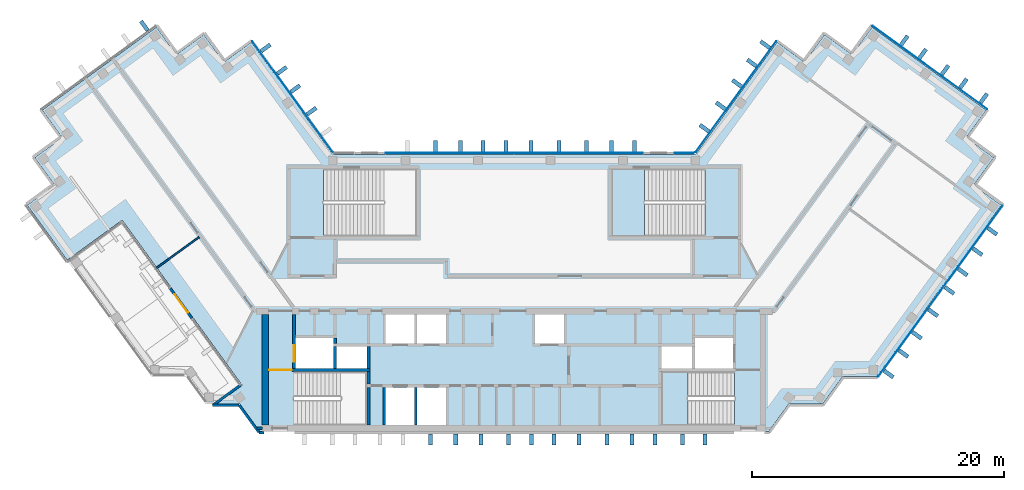
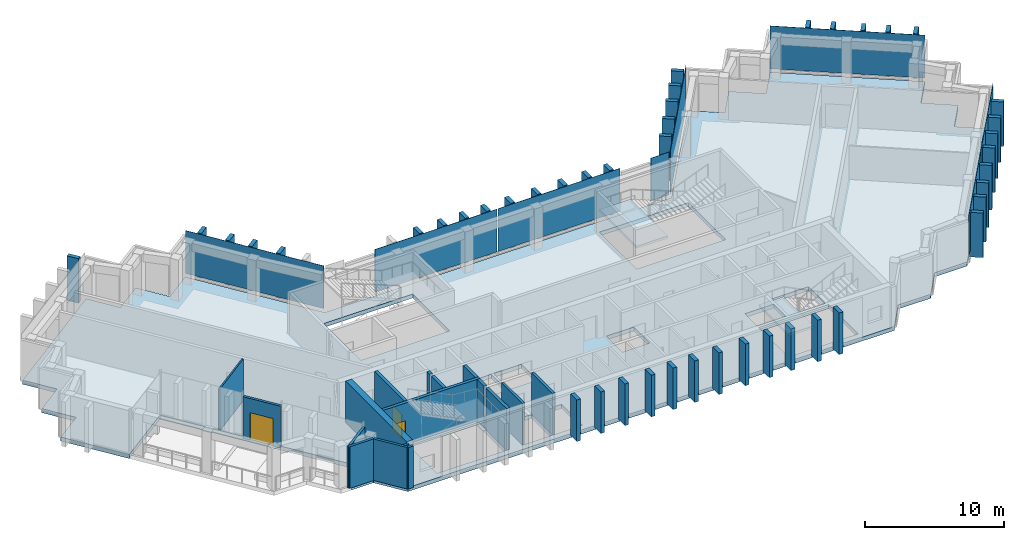
"""IFC4 building model written with IfcOpenShell, lengths in metres."""

from ifc_helpers import new_model, si_unit, direction, frame, frame_2d, origin, origin_2d, place, context, subcontext, project, spatial, polyline, rectangle, outline, extrude, material, layer, layer_set, type_object, element, fill, aggregate, save


model = new_model("IFC4")

# Units and contexts
model_context = context("Model", 3, precision=1e-05, world=origin(), true_north=direction((0.0, 1.0)))
body_context = subcontext(model_context, "Body", "Model", "MODEL_VIEW")
ifc_project = project(units=[si_unit("LENGTHUNIT", "METRE"), si_unit("AREAUNIT", "SQUARE_METRE"), si_unit("VOLUMEUNIT", "CUBIC_METRE"), si_unit("PLANEANGLEUNIT", "RADIAN"), si_unit("MASSUNIT", "GRAM", prefix="KILO")], contexts=[model_context])

# Site, building, storey
site_placement = place(None, origin())
site = spatial("IfcSite", under=ifc_project, at=site_placement, CompositionType="ELEMENT")
building_placement = place(site_placement, origin())
building = spatial("IfcBuilding", under=site, at=building_placement, Name="Quipu Civic Tower", CompositionType="ELEMENT")
storey_1_placement = place(building_placement, frame((0.0, 0.0, 265.0)))
storey_1 = spatial("IfcBuildingStorey", under=building, at=storey_1_placement, Name="L62", CompositionType="ELEMENT", Elevation=265.0)

# Slab
ifc_material_1 = material(Name="Concrete C40/50", Category="concrete")
ifc_layer_1 = layer(ifc_material_1, 0.35009765625)
ifc_layer_set_1 = layer_set([ifc_layer_1], Name="Concrete C40/50")
slab_type_1 = type_object("IfcSlabType", Name="Floor slab 350 C40/50", PredefinedType="FLOOR", material=ifc_layer_set_1)
slab_1_placement = place(storey_1_placement, frame((0.0, 0.0, -0.35009765625)))
element("IfcSlab", 1, at=slab_1_placement, inside=storey_1, type_object=slab_type_1, Name="Floor slab L62", PredefinedType="FLOOR", context=body_context, shape_type="SweptSolid", body=[
    extrude(outline(polyline([(-38.06005859375, 10.735107421875), (-35.875, 12.320068359375), (-37.4599609375, 14.5048828125), (-28.39990234375, 21.090087890625), (-26.81494140625, 18.905029296875), (-24.6298828125, 20.4951171875), (-23.0400390625, 18.31005859375), (-20.860107421875, 19.89501953125), (-14.39501953125, 11.0), (14.39501953125, 11.0), (20.860107421875, 19.89501953125), (23.0400390625, 18.31005859375), (24.6298828125, 20.4951171875), (26.81494140625, 18.905029296875), (28.39990234375, 21.090087890625), (37.4599609375, 14.5048828125), (35.875, 12.320068359375), (38.06005859375, 10.735107421875), (36.469970703125, 8.550048828125), (38.655029296875, 6.965087890625), (28.780029296875, -6.6298828125), (26.080078125, -6.6298828125), (24.489990234375, -8.81494140625), (21.7900390625, -8.81494140625), (20.205078125, -11.0), (-20.205078125, -11.0), (-21.7900390625, -8.81494140625), (-23.625, -8.81494140625), (-21.590087890625, -7.3349609375), (-31.114990234375, 5.77001953125), (-35.47998046875, 2.594970703125), (-38.655029296875, 6.965087890625), (-36.469970703125, 8.550048828125), (-38.06005859375, 10.735107421875)]), holes=[polyline([(-10.199951171875, -10.5), (-7.89990234375, -10.5), (-7.89990234375, -7.5), (-10.199951171875, -7.5), (-10.199951171875, -10.5)]), polyline([(-7.699951171875, -7.5), (-7.699951171875, -10.5), (-5.39990234375, -10.5), (-5.39990234375, -7.5), (-7.699951171875, -7.5)]), polyline([(-11.705078125, -6.2548828125), (-17.4951171875, -6.2548828125), (-17.4951171875, -10.4951171875), (-11.705078125, -10.4951171875), (-11.705078125, -6.2548828125)]), polyline([(-14.10009765625, -6.0), (-11.699951171875, -6.0), (-11.699951171875, -4.25), (-14.10009765625, -4.25), (-14.10009765625, -6.0)]), polyline([(-17.35009765625, -3.60009765625), (-17.35009765625, -6.0), (-14.35009765625, -6.0), (-14.35009765625, -3.60009765625), (-17.35009765625, -3.60009765625)]), polyline([(-10.199951171875, -1.699951171875), (-10.199951171875, -4.0), (-7.89990234375, -4.0), (-7.89990234375, -1.699951171875), (-10.199951171875, -1.699951171875)]), polyline([(-15.14501953125, 9.844970703125), (-15.14501953125, 4.5048828125), (-7.7548828125, 4.5048828125), (-7.7548828125, 9.844970703125), (-15.14501953125, 9.844970703125)]), polyline([(11.705078125, -10.4951171875), (17.4951171875, -10.4951171875), (17.4951171875, -6.2548828125), (11.705078125, -6.2548828125), (11.705078125, -10.4951171875)]), polyline([(11.699951171875, -4.25), (11.699951171875, -6.0), (14.10009765625, -6.0), (14.10009765625, -4.25), (11.699951171875, -4.25)]), polyline([(14.35009765625, -3.60009765625), (14.35009765625, -6.0), (17.35009765625, -6.0), (17.35009765625, -3.60009765625), (14.35009765625, -3.60009765625)]), polyline([(-7.699951171875, -1.699951171875), (-7.699951171875, -4.0), (-5.39990234375, -4.0), (-5.39990234375, -1.699951171875), (-7.699951171875, -1.699951171875)]), polyline([(1.64990234375, -1.699951171875), (1.64990234375, -4.0), (3.949951171875, -4.0), (3.949951171875, -1.699951171875), (1.64990234375, -1.699951171875)]), polyline([(7.7548828125, 4.5048828125), (15.14501953125, 4.5048828125), (15.14501953125, 9.844970703125), (7.7548828125, 9.844970703125), (7.7548828125, 4.5048828125)])]), origin(), (0.0, 0.0, 1.0), 0.35009765625),
])

# Storey
storey_2_placement = place(building_placement, frame((0.0, 0.0, 269.0)))
storey_2 = spatial("IfcBuildingStorey", under=building, at=storey_2_placement, Name="L63", CompositionType="ELEMENT", Elevation=269.0)

# Curtain wall, plates
ifc_material_2 = material(Name="Insulated glass unit", Category="glass")
curtain_wall_type = type_object("IfcCurtainWallType", Name="Office curtain wall CW1", PredefinedType="NOTDEFINED", material=ifc_material_2)
curtain_wall_1_placement = place(storey_2_placement, origin())
curtain_wall_1 = element("IfcCurtainWall", 2, at=curtain_wall_1_placement, inside=storey_2, type_object=curtain_wall_type, Name="Office curtain wall CW1 L62 run 16", PredefinedType="NOTDEFINED")
ifc_material_3 = material(Name="Insulated glass unit", Category="glass")
ifc_layer_2 = layer(ifc_material_3, 0.028076171875)
ifc_layer_set_2 = layer_set([ifc_layer_2], Name="Insulated glass unit")
plate_type_1 = type_object("IfcPlateType", Name="Glass panel CW1", PredefinedType="CURTAIN_PANEL", material=ifc_layer_set_2)
plate_1_placement = place(storey_1_placement, frame((31.333251953125, -3.285888671875, 0.240234375), z_axis=(0.0, 0.0, 1.0), x_axis=(0.587786237643, 0.809016278475, 0.0)))
plate_1 = element("IfcPlate", 3, at=plate_1_placement, inside=storey_1, type_object=plate_type_1, Name="CW1 panel 1.1", PredefinedType="CURTAIN_PANEL", context=body_context, shape_type="SweptSolid", body=[
    extrude(rectangle(XDim=8.35791015625, YDim=0.028076171875, at=origin_2d()), origin(), (0.0, 0.0, 1.0), 3.760009765625),
])
plate_2_placement = place(storey_1_placement, frame((36.292724609375, 3.54052734375, 0.240234375), z_axis=(0.0, 0.0, 1.0), x_axis=(0.587786237643, 0.809016278475, 0.0)))
plate_2 = element("IfcPlate", 4, at=plate_2_placement, inside=storey_1, type_object=plate_type_1, Name="CW1 panel 2.1", PredefinedType="CURTAIN_PANEL", context=body_context, shape_type="SweptSolid", body=[
    extrude(rectangle(XDim=8.35791015625, YDim=0.028076171875, at=origin_2d()), origin(), (0.0, 0.0, 1.0), 3.760009765625),
])
aggregate(curtain_wall_1, [plate_1, plate_2])

# Curtain wall, plate
curtain_wall_2_placement = place(storey_2_placement, origin())
curtain_wall_2 = element("IfcCurtainWall", 5, at=curtain_wall_2_placement, inside=storey_2, type_object=curtain_wall_type, Name="Office curtain wall CW1 L62 run 21", PredefinedType="NOTDEFINED")
plate_3_placement = place(storey_1_placement, frame((32.989990234375, 17.87939453125, 0.240234375), z_axis=(0.0, 0.0, 1.0), x_axis=(-0.809015176832, 0.587787753918, 0.0)))
plate_3 = element("IfcPlate", 6, at=plate_3_placement, inside=storey_1, type_object=plate_type_1, Name="CW1 panel 1.1", PredefinedType="CURTAIN_PANEL", context=body_context, shape_type="SweptSolid", body=[
    extrude(rectangle(XDim=11.239990234375, YDim=0.028076171875, at=origin_2d()), origin(), (0.0, 0.0, 1.0), 3.760009765625),
])
aggregate(curtain_wall_2, [plate_3])

curtain_wall_3_placement = place(storey_2_placement, origin())
curtain_wall_3 = element("IfcCurtainWall", 7, at=curtain_wall_3_placement, inside=storey_2, type_object=curtain_wall_type, Name="Office curtain wall CW1 L62 run 26", PredefinedType="NOTDEFINED")
plate_4_placement = place(storey_1_placement, frame((17.590087890625, 15.5673828125, 0.240234375), z_axis=(0.0, 0.0, 1.0), x_axis=(-0.587787771652, -0.809015163947, 0.0)))
plate_4 = element("IfcPlate", 8, at=plate_4_placement, inside=storey_1, type_object=plate_type_1, Name="CW1 panel 1.1", PredefinedType="CURTAIN_PANEL", context=body_context, shape_type="SweptSolid", body=[
    extrude(rectangle(XDim=10.88427734375, YDim=0.028076171875, at=origin_2d()), origin(), (0.0, 0.0, 1.0), 3.760009765625),
])
aggregate(curtain_wall_3, [plate_4])

curtain_wall_4_placement = place(storey_2_placement, origin())
curtain_wall_4 = element("IfcCurtainWall", 9, at=curtain_wall_4_placement, inside=storey_2, type_object=curtain_wall_type, Name="Office curtain wall CW1 L62 run 27", PredefinedType="NOTDEFINED")
plate_5_placement = place(storey_1_placement, frame((13.49951171875, 11.10009765625, 0.240234375), z_axis=(0.0, 0.0, 1.0), x_axis=(-1.0, 0.0, 0.0)))
plate_5 = element("IfcPlate", 10, at=plate_5_placement, inside=storey_1, type_object=plate_type_1, Name="CW1 panel 1.1", PredefinedType="CURTAIN_PANEL", context=body_context, shape_type="SweptSolid", body=[
    extrude(rectangle(XDim=1.529296875, YDim=0.028076171875, at=origin_2d()), origin(), (0.0, 0.0, 1.0), 3.760009765625),
])
aggregate(curtain_wall_4, [plate_5])

# Curtain wall, plates
curtain_wall_5_placement = place(storey_2_placement, origin())
curtain_wall_5 = element("IfcCurtainWall", 11, at=curtain_wall_5_placement, inside=storey_2, type_object=curtain_wall_type, Name="Office curtain wall CW1 L62 run 29", PredefinedType="NOTDEFINED")
plate_6_placement = place(storey_1_placement, frame((5.11181640625, 11.10009765625, 0.240234375), z_axis=(0.0, 0.0, 1.0), x_axis=(-1.0, 0.0, 0.0)))
plate_6 = element("IfcPlate", 12, at=plate_6_placement, inside=storey_1, type_object=plate_type_1, Name="CW1 panel 1.1", PredefinedType="CURTAIN_PANEL", context=body_context, shape_type="SweptSolid", body=[
    extrude(rectangle(XDim=10.1435546875, YDim=0.028076171875, at=origin_2d()), origin(), (0.0, 0.0, 1.0), 3.760009765625),
])
plate_7_placement = place(storey_1_placement, frame((-5.11181640625, 11.10009765625, 0.240234375), z_axis=(0.0, 0.0, 1.0), x_axis=(-1.0, 0.0, 0.0)))
plate_7 = element("IfcPlate", 13, at=plate_7_placement, inside=storey_1, type_object=plate_type_1, Name="CW1 panel 2.1", PredefinedType="CURTAIN_PANEL", context=body_context, shape_type="SweptSolid", body=[
    extrude(rectangle(XDim=10.1435546875, YDim=0.028076171875, at=origin_2d()), origin(), (0.0, 0.0, 1.0), 3.760009765625),
])
aggregate(curtain_wall_5, [plate_6, plate_7])

# Curtain wall, plate
curtain_wall_6_placement = place(storey_2_placement, origin())
curtain_wall_6 = element("IfcCurtainWall", 14, at=curtain_wall_6_placement, inside=storey_2, type_object=curtain_wall_type, Name="Office curtain wall CW1 L62 run 32", PredefinedType="NOTDEFINED")
plate_8_placement = place(storey_1_placement, frame((-17.590087890625, 15.5673828125, 0.240234375), z_axis=(0.0, 0.0, 1.0), x_axis=(-0.587787771652, 0.809015163947, 0.0)))
plate_8 = element("IfcPlate", 15, at=plate_8_placement, inside=storey_1, type_object=plate_type_1, Name="CW1 panel 1.1", PredefinedType="CURTAIN_PANEL", context=body_context, shape_type="SweptSolid", body=[
    extrude(rectangle(XDim=10.88427734375, YDim=0.028076171875, at=origin_2d()), origin(), (0.0, 0.0, 1.0), 3.760009765625),
])
aggregate(curtain_wall_6, [plate_8])

# Plates
ifc_material_4 = material(Name="Precast concrete C40/50", Category="concrete")
plate_type_2 = type_object("IfcPlateType", Name="Precast fin F3", PredefinedType="SHEET", material=ifc_material_4)
for number, where, z_axis, x_axis, name in (
    (16, (-6.639892578125, -11.637939453125, 0.0), (0.0, 0.0, 1.0), (1.0, 0.0, 0.0), "Precast fin F3 L62.10.6"),
    (17, (-4.639892578125, -11.637939453125, 0.0), (0.0, 0.0, 1.0), (1.0, 0.0, 0.0), "Precast fin F3 L62.10.7"),
    (18, (-2.639892578125, -11.637939453125, 0.0), (0.0, 0.0, 1.0), (1.0, 0.0, 0.0), "Precast fin F3 L62.10.8"),
    (19, (-0.43994140625, -11.637939453125, 0.0), (0.0, 0.0, 1.0), (1.0, 0.0, 0.0), "Precast fin F3 L62.10.9"),
    (20, (1.360107421875, -11.637939453125, 0.0), (0.0, 0.0, 1.0), (1.0, 0.0, 0.0), "Precast fin F3 L62.10.10"),
    (21, (3.159912109375, -11.637939453125, 0.0), (0.0, 0.0, 1.0), (1.0, 0.0, 0.0), "Precast fin F3 L62.10.11"),
    (22, (5.159912109375, -11.637939453125, 0.0), (0.0, 0.0, 1.0), (1.0, 0.0, 0.0), "Precast fin F3 L62.10.12"),
    (23, (7.360107421875, -11.637939453125, 0.0), (0.0, 0.0, 1.0), (1.0, 0.0, 0.0), "Precast fin F3 L62.10.13"),
    (24, (9.360107421875, -11.637939453125, 0.0), (0.0, 0.0, 1.0), (1.0, 0.0, 0.0), "Precast fin F3 L62.10.14"),
    (25, (11.159912109375, -11.637939453125, 0.0), (0.0, 0.0, 1.0), (1.0, 0.0, 0.0), "Precast fin F3 L62.10.15"),
    (26, (13.360107421875, -11.637939453125, 0.0), (0.0, 0.0, 1.0), (1.0, 0.0, 0.0), "Precast fin F3 L62.10.16"),
    (27, (15.159912109375, -11.637939453125, 0.0), (0.0, 0.0, 1.0), (1.0, 0.0, 0.0), "Precast fin F3 L62.10.17"),
):
    element("IfcPlate", number, at=place(storey_1_placement, frame(where, z_axis=z_axis, x_axis=x_axis)), inside=storey_1, type_object=plate_type_2, Name=name, PredefinedType="SHEET", context=body_context, shape_type="SweptSolid", body=[
        extrude(rectangle(XDim=0.320068359375, YDim=0.89990234375, at=origin_2d()), origin(), (0.0, 0.0, 1.0), 3.64990234375),
    ])
for number, where, z_axis, x_axis, name in (
    (28, (29.721923828125, -6.43896484375, 0.080078125), (0.0, 0.0, 1.0), (0.587786668783, 0.809015965233, 0.0), "Precast fin F3 L62.16.1"),
    (29, (30.8974609375, -4.821044921875, 0.080078125), (0.0, 0.0, 1.0), (0.587786668783, 0.809015965233, 0.0), "Precast fin F3 L62.16.2"),
    (30, (31.95556640625, -3.36474609375, 0.080078125), (0.0, 0.0, 1.0), (0.587786668783, 0.809015965233, 0.0), "Precast fin F3 L62.16.3"),
    (31, (33.248779296875, -1.5849609375, 0.080078125), (0.0, 0.0, 1.0), (0.587786668783, 0.809015965233, 0.0), "Precast fin F3 L62.16.4"),
    (32, (34.541748046875, 0.195068359375, 0.080078125), (0.0, 0.0, 1.0), (0.587786668783, 0.809015965233, 0.0), "Precast fin F3 L62.16.5"),
    (33, (35.599853515625, 1.651123046875, 0.080078125), (0.0, 0.0, 1.0), (0.587786668783, 0.809015965233, 0.0), "Precast fin F3 L62.16.6"),
    (34, (36.775390625, 3.269287109375, 0.080078125), (0.0, 0.0, 1.0), (0.587786668783, 0.809015965233, 0.0), "Precast fin F3 L62.16.7"),
    (35, (37.950927734375, 4.88720703125, 0.080078125), (0.0, 0.0, 1.0), (0.587786668783, 0.809015965233, 0.0), "Precast fin F3 L62.16.8"),
    (36, (37.26953125, 15.449951171875, 0.080078125), (0.0, 0.0, 1.0), (-0.809017072762, 0.587785144401, 0.0), "Precast fin F3 L62.21.1"),
    (37, (35.6513671875, 16.62548828125, 0.080078125), (0.0, 0.0, 1.0), (-0.809017072762, 0.587785144401, 0.0), "Precast fin F3 L62.21.2"),
    (38, (34.1953125, 17.68359375, 0.080078125), (0.0, 0.0, 1.0), (-0.809017072762, 0.587785144401, 0.0), "Precast fin F3 L62.21.3"),
    (39, (32.415283203125, 18.976806640625, 0.080078125), (0.0, 0.0, 1.0), (-0.809017072762, 0.587785144401, 0.0), "Precast fin F3 L62.21.4"),
    (40, (30.959228515625, 20.03466796875, 0.080078125), (0.0, 0.0, 1.0), (-0.809017072762, 0.587785144401, 0.0), "Precast fin F3 L62.21.5"),
    (41, (19.914794921875, 19.702880859375, 0.080078125), (0.0, 0.0, 1.0), (-0.58778443384, -0.809017589015, 0.0), "Precast fin F3 L62.26.1"),
    (42, (18.856689453125, 18.246826171875, 0.080078125), (0.0, 0.0, 1.0), (-0.58778443384, -0.809017589015, 0.0), "Precast fin F3 L62.26.2"),
    (43, (17.68115234375, 16.628662109375, 0.080078125), (0.0, 0.0, 1.0), (-0.58778443384, -0.809017589015, 0.0), "Precast fin F3 L62.26.3"),
    (44, (16.38818359375, 14.848876953125, 0.080078125), (0.0, 0.0, 1.0), (-0.58778443384, -0.809017589015, 0.0), "Precast fin F3 L62.26.4"),
    (45, (15.094970703125, 13.069091796875, 0.080078125), (0.0, 0.0, 1.0), (-0.58778443384, -0.809017589015, 0.0), "Precast fin F3 L62.26.5"),
    (46, (9.5400390625, 11.64990234375, 0.080078125), (0.0, 0.0, 1.0), (-1.0, 0.0, 0.0), "Precast fin F3 L62.29.1"),
    (47, (7.739990234375, 11.64990234375, 0.080078125), (0.0, 0.0, 1.0), (-1.0, 0.0, 0.0), "Precast fin F3 L62.29.2"),
    (48, (5.739990234375, 11.64990234375, 0.080078125), (0.0, 0.0, 1.0), (-1.0, 0.0, 0.0), "Precast fin F3 L62.29.3"),
    (49, (3.5400390625, 11.64990234375, 0.080078125), (0.0, 0.0, 1.0), (-1.0, 0.0, 0.0), "Precast fin F3 L62.29.4"),
    (50, (1.340087890625, 11.64990234375, 0.080078125), (0.0, 0.0, 1.0), (-1.0, 0.0, 0.0), "Precast fin F3 L62.29.5"),
    (51, (-0.659912109375, 11.64990234375, 0.080078125), (0.0, 0.0, 1.0), (-1.0, 0.0, 0.0), "Precast fin F3 L62.29.6"),
    (52, (-2.4599609375, 11.64990234375, 0.080078125), (0.0, 0.0, 1.0), (-1.0, 0.0, 0.0), "Precast fin F3 L62.29.7"),
    (53, (-4.260009765625, 11.64990234375, 0.080078125), (0.0, 0.0, 1.0), (-1.0, 0.0, 0.0), "Precast fin F3 L62.29.8"),
    (54, (-6.260009765625, 11.64990234375, 0.080078125), (0.0, 0.0, 1.0), (-1.0, 0.0, 0.0), "Precast fin F3 L62.29.9"),
    (55, (-16.079345703125, 14.424072265625, 0.080078125), (0.0, 0.0, 1.0), (-0.58778443384, 0.809017589015, 0.0), "Precast fin F3 L62.32.2"),
    (56, (-17.37255859375, 16.203857421875, 0.080078125), (0.0, 0.0, 1.0), (-0.58778443384, 0.809017589015, 0.0), "Precast fin F3 L62.32.3"),
    (57, (-18.4306640625, 17.66015625, 0.080078125), (0.0, 0.0, 1.0), (-0.58778443384, 0.809017589015, 0.0), "Precast fin F3 L62.32.4"),
    (58, (-19.7236328125, 19.43994140625, 0.080078125), (0.0, 0.0, 1.0), (-0.58778443384, 0.809017589015, 0.0), "Precast fin F3 L62.32.5"),
    (59, (-29.357177734375, 21.198486328125, 0.080078125), (0.0, 0.0, 1.0), (-0.809017072762, -0.587785144401, 0.0), "Precast fin F3 L62.37.1"),
):
    element("IfcPlate", number, at=place(storey_1_placement, frame(where, z_axis=z_axis, x_axis=x_axis)), inside=storey_1, type_object=plate_type_2, Name=name, PredefinedType="SHEET", context=body_context, shape_type="SweptSolid", body=[
        extrude(rectangle(XDim=0.320068359375, YDim=0.89990234375, at=origin_2d()), origin(), (0.0, 0.0, 1.0), 3.919921875),
    ])

# Stair, slab
ifc_material_5 = material(Name="Concrete C40/50", Category="concrete")
stair_type_1 = type_object("IfcStairType", Name="Half turn stair 2000", PredefinedType="HALF_TURN_STAIR", material=ifc_material_5)
stair_1_placement = place(storey_1_placement, origin())
stair_1 = element("IfcStair", 60, at=stair_1_placement, inside=storey_1, type_object=stair_type_1, Name="Exit stair 2", PredefinedType="HALF_TURN_STAIR")
ifc_material_6 = material(Name="Concrete C40/50", Category="concrete")
ifc_layer_3 = layer(ifc_material_6, 0.199951171875)
ifc_layer_set_3 = layer_set([ifc_layer_3], Name="Concrete C40/50")
slab_type_2 = type_object("IfcSlabType", Name="Stair landing 200", PredefinedType="LANDING", material=ifc_layer_set_3)
slab_2_placement = place(storey_1_placement, frame((0.0, 0.0, 1.800048828125)))
slab_2 = element("IfcSlab", 61, at=slab_2_placement, type_object=slab_type_2, Name="ST-2 landing 1", PredefinedType="LANDING", context=body_context, shape_type="SweptSolid", body=[
    extrude(outline(polyline([(13.780029296875, -6.25), (11.699951171875, -6.25), (11.699951171875, -10.5), (13.780029296875, -10.5), (13.780029296875, -6.25)])), origin(), (0.0, 0.0, 1.0), 0.199951171875),
])
aggregate(stair_1, [slab_2])

ifc_material_7 = material(Name="Concrete C40/50", Category="concrete")
stair_type_2 = type_object("IfcStairType", Name="Half turn stair 2600", PredefinedType="HALF_TURN_STAIR", material=ifc_material_7)
stair_2_placement = place(storey_1_placement, origin())
stair_2 = element("IfcStair", 62, at=stair_2_placement, inside=storey_1, type_object=stair_type_2, Name="Exit stair 4", PredefinedType="HALF_TURN_STAIR")
slab_3_placement = place(storey_1_placement, frame((0.0, 0.0, 1.800048828125)))
slab_3 = element("IfcSlab", 63, at=slab_3_placement, type_object=slab_type_2, Name="ST-4 landing 1", PredefinedType="LANDING", context=body_context, shape_type="SweptSolid", body=[
    extrude(outline(polyline([(10.35009765625, 9.85009765625), (7.75, 9.85009765625), (7.75, 4.5), (10.35009765625, 4.5), (10.35009765625, 9.85009765625)])), origin(), (0.0, 0.0, 1.0), 0.199951171875),
])
aggregate(stair_2, [slab_3])

# Walls
ifc_material_8 = material(Name="Concrete C70/85", Category="concrete")
ifc_layer_4 = layer(ifc_material_8, 0.25)
ifc_layer_set_4 = layer_set([ifc_layer_4], Name="Concrete C70/85")
wall_type_1 = type_object("IfcWallType", Name="Core wall 250", PredefinedType="SHEAR", material=ifc_layer_set_4)
wall_1_placement = place(storey_1_placement, frame((-11.574951171875, -10.5, 0.0), z_axis=(0.0, 0.0, 1.0), x_axis=(0.0, 1.0, 0.0)))
element("IfcWall", 64, at=wall_1_placement, inside=storey_1, type_object=wall_type_1, Name="Core wall", PredefinedType="SHEAR", context=body_context, shape_type="SweptSolid", body=[
    extrude(rectangle(XDim=3.0, YDim=0.25, at=frame_2d((1.5, 0.0))), origin(), (0.0, 0.0, 1.0), 3.64990234375),
])
wall_2_placement = place(storey_1_placement, frame((-11.574951171875, -7.25, 0.0), z_axis=(0.0, 0.0, 1.0), x_axis=(0.0, 1.0, 0.0)))
element("IfcWall", 65, at=wall_2_placement, inside=storey_1, type_object=wall_type_1, Name="Core wall", PredefinedType="SHEAR", context=body_context, shape_type="SweptSolid", body=[
    extrude(rectangle(XDim=1.0, YDim=0.25, at=frame_2d((0.5, 0.0))), origin(), (0.0, 0.0, 1.0), 3.64990234375),
])

# Wall, opening, door
wall_3_placement = place(storey_1_placement, frame((-11.449951171875, -6.125, 0.0), z_axis=(0.0, 0.0, 1.0), x_axis=(-1.0, 0.0, 0.0)))
wall_3 = element("IfcWall", 66, at=wall_3_placement, inside=storey_1, type_object=wall_type_1, Name="Core wall", PredefinedType="SHEAR", context=body_context, shape_type="SweptSolid", body=[
    extrude(rectangle(XDim=8.050048828125, YDim=0.25, at=frame_2d((4.02490234375, 0.0))), origin(), (0.0, 0.0, 1.0), 3.64990234375),
])
opening_1_placement = place(wall_3_placement, frame((6.199951171875, 0.0, 0.0)))
opening_1 = element("IfcOpeningElement", 67, at=opening_1_placement, cuts=wall_3, Name="Opening CD-10", PredefinedType="OPENING", context=body_context, shape_type="SweptSolid", body=[
    extrude(rectangle(XDim=1.800048828125, YDim=2.10009765625, at=frame_2d((0.89990234375, 1.050048828125))), frame((0.0, 0.135009765625, 0.0), z_axis=(0.0, -1.0, 0.0), x_axis=(1.0, 0.0, 0.0)), (0.0, 0.0, 1.0), 0.27001953125),
])
ifc_material_9 = material(Name="Fire rated steel door", Category="steel")
door_type_1 = type_object("IfcDoorType", Name="Fire door FD90 double 1800 x 2100", OperationType="NOTDEFINED", PredefinedType="DOOR", material=ifc_material_9)
door_1_placement = place(opening_1_placement, origin())
door_1 = element("IfcDoor", 68, at=door_1_placement, inside=storey_1, type_object=door_type_1, Name="Door", OperationType="DOUBLE_DOOR_SINGLE_SWING", OverallHeight=2.10009765625, OverallWidth=1.800048828125, PredefinedType="DOOR", context=body_context, shape_type="SweptSolid", body=[
    extrude(rectangle(XDim=1.800048828125, YDim=2.10009765625, at=frame_2d((0.89990234375, 1.050048828125))), frame((0.0, 0.02490234375, 0.0), z_axis=(0.0, -1.0, 0.0), x_axis=(1.0, 0.0, 0.0)), (0.0, 0.0, 1.0), 0.050048828125),
])
fill(opening_1, door_1)

wall_4_placement = place(storey_1_placement, frame((-17.47509765625, -6.0, 0.0), z_axis=(0.0, 0.0, 1.0), x_axis=(0.0, 1.0, 0.0)))
wall_4 = element("IfcWall", 69, at=wall_4_placement, inside=storey_1, type_object=wall_type_1, Name="Core wall", PredefinedType="SHEAR", context=body_context, shape_type="SweptSolid", body=[
    extrude(rectangle(XDim=4.300048828125, YDim=0.25, at=frame_2d((2.14990234375, 0.0))), origin(), (0.0, 0.0, 1.0), 3.64990234375),
])
opening_2_placement = place(wall_4_placement, frame((0.550048828125, 0.0, 0.0)))
opening_2 = element("IfcOpeningElement", 70, at=opening_2_placement, cuts=wall_4, Name="Opening LD-FF1", PredefinedType="OPENING", context=body_context, shape_type="SweptSolid", body=[
    extrude(rectangle(XDim=1.300048828125, YDim=2.10009765625, at=frame_2d((0.64990234375, 1.050048828125))), frame((0.0, 0.135009765625, 0.0), z_axis=(0.0, -1.0, 0.0), x_axis=(1.0, 0.0, 0.0)), (0.0, 0.0, 1.0), 0.27001953125),
])
ifc_material_10 = material(Name="Stainless steel", Category="steel")
door_type_2 = type_object("IfcDoorType", Name="Lift landing door 1300 x 2100", OperationType="DOUBLE_DOOR_SLIDING", PredefinedType="DOOR", material=ifc_material_10)
door_2_placement = place(opening_2_placement, origin())
door_2 = element("IfcDoor", 71, at=door_2_placement, inside=storey_1, type_object=door_type_2, Name="Landing door FF1", OperationType="DOUBLE_DOOR_SLIDING", OverallHeight=2.10009765625, OverallWidth=1.300048828125, PredefinedType="DOOR", context=body_context, shape_type="SweptSolid", body=[
    extrude(rectangle(XDim=1.300048828125, YDim=2.10009765625, at=frame_2d((0.64990234375, 1.050048828125))), frame((0.0, 0.02490234375, 0.0), z_axis=(0.0, -1.0, 0.0), x_axis=(1.0, 0.0, 0.0)), (0.0, 0.0, 1.0), 0.050048828125),
])
fill(opening_2, door_2)

# Walls
for number, where, z_axis, x_axis, name in (
    (72, (-14.22509765625, -6.0, 0.0), (0.0, 0.0, 1.0), (0.0, 1.0, 0.0), "Core wall"),
    (73, (-11.574951171875, -6.0, 0.0), (0.0, 0.0, 1.0), (0.0, 1.0, 0.0), "Core wall"),
):
    element("IfcWall", number, at=place(storey_1_placement, frame(where, z_axis=z_axis, x_axis=x_axis)), inside=storey_1, type_object=wall_type_1, Name=name, PredefinedType="SHEAR", context=body_context, shape_type="SweptSolid", body=[
        extrude(rectangle(XDim=1.75, YDim=0.25, at=frame_2d((0.875, 0.0))), origin(), (0.0, 0.0, 1.0), 3.64990234375),
    ])
wall_5_placement = place(storey_1_placement, frame((-14.22509765625, -4.0, 0.0), z_axis=(0.0, 0.0, 1.0), x_axis=(0.0, 1.0, 0.0)))
element("IfcWall", 74, at=wall_5_placement, inside=storey_1, type_object=wall_type_1, Name="Core wall", PredefinedType="SHEAR", context=body_context, shape_type="SweptSolid", body=[
    extrude(rectangle(XDim=0.39990234375, YDim=0.25, at=frame_2d((0.199951171875, 0.0))), origin(), (0.0, 0.0, 1.0), 3.64990234375),
])
ifc_material_11 = material(Name="Concrete C70/85", Category="concrete")
ifc_layer_5 = layer(ifc_material_11, 0.5)
ifc_layer_set_5 = layer_set([ifc_layer_5], Name="Concrete C70/85")
wall_type_2 = type_object("IfcWallType", Name="Core wall 500", PredefinedType="SHEAR", material=ifc_layer_set_5)
wall_6_placement = place(storey_1_placement, frame((-19.75, -10.5, 0.0), z_axis=(0.0, 0.0, 1.0), x_axis=(0.0, 1.0, 0.0)))
element("IfcWall", 75, at=wall_6_placement, inside=storey_1, type_object=wall_type_2, Name="Core wall", PredefinedType="SHEAR", context=body_context, shape_type="SweptSolid", body=[
    extrude(rectangle(XDim=8.800048828125, YDim=0.5, at=frame_2d((4.39990234375, 0.0))), origin(), (0.0, 0.0, 1.0), 3.64990234375),
])
ifc_material_12 = material(Name="Gypsum plasterboard on light gauge framing")
ifc_layer_6 = layer(ifc_material_12, 0.1201171875)
ifc_layer_set_6 = layer_set([ifc_layer_6], Name="Gypsum plasterboard on light gauge framing")
wall_type_3 = type_object("IfcWallType", Name="Partition 120 plasterboard", PredefinedType="PARTITIONING", material=ifc_layer_set_6)
wall_7_placement = place(storey_1_placement, frame((-25.00830078125, 4.4267578125, 0.0), z_axis=(0.0, 0.0, 1.0), x_axis=(-0.809020893444, -0.587779885646, 0.0)))
element("IfcWall", 76, at=wall_7_placement, inside=storey_1, type_object=wall_type_3, Name="Partition P04", PredefinedType="PARTITIONING", context=body_context, shape_type="SweptSolid", body=[
    extrude(rectangle(XDim=4.150390625, YDim=0.1201171875, at=frame_2d((2.0751953125, 0.0))), origin(), (0.0, 0.0, 1.0), 3.64990234375),
])
ifc_material_13 = material(Name="Precast concrete C40/50", Category="concrete")
wall_type_4 = type_object("IfcWallType", Name="Precast cladding wall", PredefinedType="SOLIDWALL", material=ifc_material_13)
wall_8_placement = place(storey_1_placement, frame((-21.72412109375, -7.32421875, 0.0), z_axis=(0.0, 0.0, 1.0), x_axis=(-0.809038277723, -0.587755957162, 0.0)))
element("IfcWall", 77, at=wall_8_placement, inside=storey_1, type_object=wall_type_4, Name="Precast cladding wall L62 6", PredefinedType="SOLIDWALL", context=body_context, shape_type="SweptSolid", body=[
    extrude(rectangle(XDim=2.72412109375, YDim=0.199951171875, at=frame_2d((1.362060546875, 0.0))), origin(), (0.0, 0.0, 1.0), 3.64990234375),
])
wall_9_placement = place(storey_1_placement, frame((-23.93505859375, -8.90380859375, 0.0), z_axis=(0.0, 0.0, 1.0), x_axis=(1.0, 0.0, 0.0)))
element("IfcWall", 78, at=wall_9_placement, inside=storey_1, type_object=wall_type_4, Name="Precast cladding wall L62 7", PredefinedType="SOLIDWALL", context=body_context, shape_type="SweptSolid", body=[
    extrude(rectangle(XDim=2.09228515625, YDim=0.199951171875, at=frame_2d((1.046142578125, 0.0))), origin(), (0.0, 0.0, 1.0), 3.64990234375),
])
wall_10_placement = place(storey_1_placement, frame((-21.8330078125, -8.90869140625, 0.0), z_axis=(0.0, 0.0, 1.0), x_axis=(0.587766567315, -0.809030569476, 0.0)))
element("IfcWall", 79, at=wall_10_placement, inside=storey_1, type_object=wall_type_4, Name="Precast cladding wall L62 8", PredefinedType="SOLIDWALL", context=body_context, shape_type="SweptSolid", body=[
    extrude(rectangle(XDim=2.687744140625, YDim=0.199951171875, at=frame_2d((1.34375, 0.0))), origin(), (0.0, 0.0, 1.0), 3.64990234375),
])
wall_11_placement = place(storey_1_placement, frame((-20.255859375, -11.087890625, 0.0), z_axis=(0.0, 0.0, 1.0), x_axis=(1.0, 0.0, 0.0)))
element("IfcWall", 80, at=wall_11_placement, inside=storey_1, type_object=wall_type_4, Name="Precast cladding wall L62 9", PredefinedType="SOLIDWALL", context=body_context, shape_type="SweptSolid", body=[
    extrude(rectangle(XDim=0.40576171875, YDim=0.199951171875, at=frame_2d((0.202880859375, 0.0))), origin(), (0.0, 0.0, 1.0), 3.64990234375),
])
wall_12_placement = place(storey_1_placement, frame((-19.97998046875, -10.75, 0.0), z_axis=(0.0, 0.0, 1.0), x_axis=(-1.0, 0.0, 0.0)))
element("IfcWall", 81, at=wall_12_placement, inside=storey_1, type_object=wall_type_4, Name="Precast cladding return L62 W", PredefinedType="SOLIDWALL", context=body_context, shape_type="SweptSolid", body=[
    extrude(rectangle(XDim=0.41650390625, YDim=0.199951171875, at=frame_2d((0.208251953125, 0.0))), origin(), (0.0, 0.0, 1.0), 3.64990234375),
])

# Wall, opening, door
ifc_material_14 = material(Name="Precast concrete C40/50", Category="concrete")
wall_type_5 = type_object("IfcWallType", Name="Precast door surround", PredefinedType="SOLIDWALL", material=ifc_material_14)
wall_13_placement = place(storey_1_placement, frame((-25.562744140625, -2.041015625, 0.0), z_axis=(0.0, 0.0, 1.0), x_axis=(-0.587774760134, 0.809024617271, 0.0)))
wall_13 = element("IfcWall", 82, at=wall_13_placement, inside=storey_1, type_object=wall_type_5, Name="Door surround ED-L62-1", PredefinedType="SOLIDWALL", context=body_context, shape_type="SweptSolid", body=[
    extrude(rectangle(XDim=2.962890625, YDim=0.199951171875, at=frame_2d((1.4814453125, 0.0))), origin(), (0.0, 0.0, 1.0), 3.64990234375),
])
opening_3_placement = place(wall_13_placement, frame((0.58154296875, 0.0, 0.0)))
opening_3 = element("IfcOpeningElement", 83, at=opening_3_placement, cuts=wall_13, Name="Opening ED-L62-1", PredefinedType="OPENING", context=body_context, shape_type="SweptSolid", body=[
    extrude(rectangle(XDim=1.800048828125, YDim=2.39990234375, at=frame_2d((0.89990234375, 1.199951171875))), frame((0.0, 0.10986328125, 0.0), z_axis=(0.0, -1.0, 0.0), x_axis=(1.0, 0.0, 0.0)), (0.0, 0.0, 1.0), 0.219970703125),
])
ifc_material_15 = material(Name="Aluminium framed glazed door", Category="aluminium")
door_type_3 = type_object("IfcDoorType", Name="Terrace door E3", OperationType="DOUBLE_DOOR_SINGLE_SWING", PredefinedType="DOOR", material=ifc_material_15)
door_3_placement = place(opening_3_placement, origin())
door_3 = element("IfcDoor", 84, at=door_3_placement, inside=storey_1, type_object=door_type_3, Name="E3 door ED-L62-1", OperationType="DOUBLE_DOOR_SINGLE_SWING", OverallHeight=2.39990234375, OverallWidth=1.800048828125, PredefinedType="DOOR", context=body_context, shape_type="SweptSolid", body=[
    extrude(rectangle(XDim=1.800048828125, YDim=2.39990234375, at=frame_2d((0.89990234375, 1.199951171875))), frame((0.0, 0.02490234375, 0.0), z_axis=(0.0, -1.0, 0.0), x_axis=(1.0, 0.0, 0.0)), (0.0, 0.0, 1.0), 0.050048828125),
])
fill(opening_3, door_3)

# Walls
ifc_material_16 = material(Name="Concrete C40/50", Category="concrete")
ifc_layer_7 = layer(ifc_material_16, 0.199951171875)
ifc_layer_set_7 = layer_set([ifc_layer_7], Name="Concrete C40/50")
wall_type_6 = type_object("IfcWallType", Name="Shaft wall 200", PredefinedType="SOLIDWALL", material=ifc_layer_set_7)
for number, where, z_axis, x_axis, name in (
    (85, (-10.300048828125, -10.5, 0.0), (0.0, 0.0, 1.0), (0.0, 1.0, 0.0), "Shaft wall"),
    (86, (-7.800048828125, -10.5, 0.0), (0.0, 0.0, 1.0), (0.0, 1.0, 0.0), "Shaft wall"),
):
    element("IfcWall", number, at=place(storey_1_placement, frame(where, z_axis=z_axis, x_axis=x_axis)), inside=storey_1, type_object=wall_type_6, Name=name, PredefinedType="SOLIDWALL", context=body_context, shape_type="SweptSolid", body=[
        extrude(rectangle(XDim=3.0, YDim=0.199951171875, at=frame_2d((1.5, 0.0))), origin(), (0.0, 0.0, 1.0), 3.64990234375),
    ])

save(model, "model.ifc")
